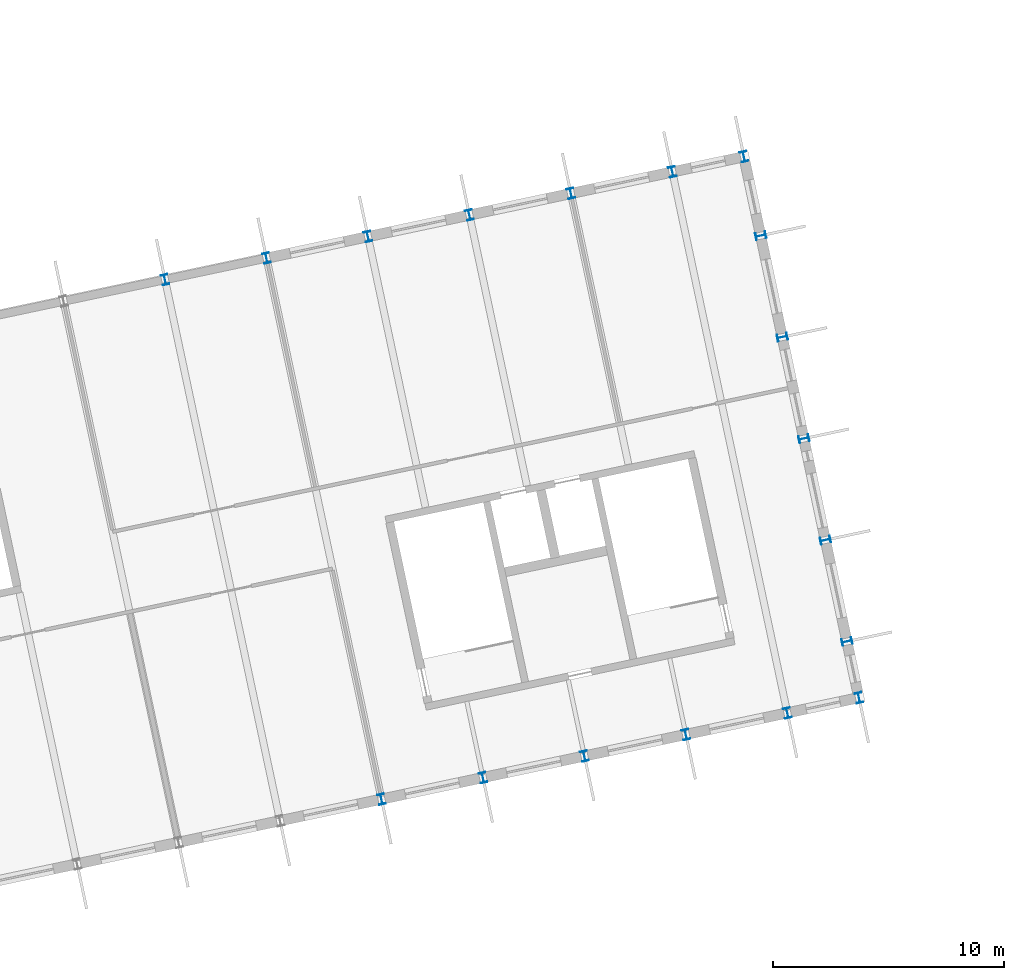
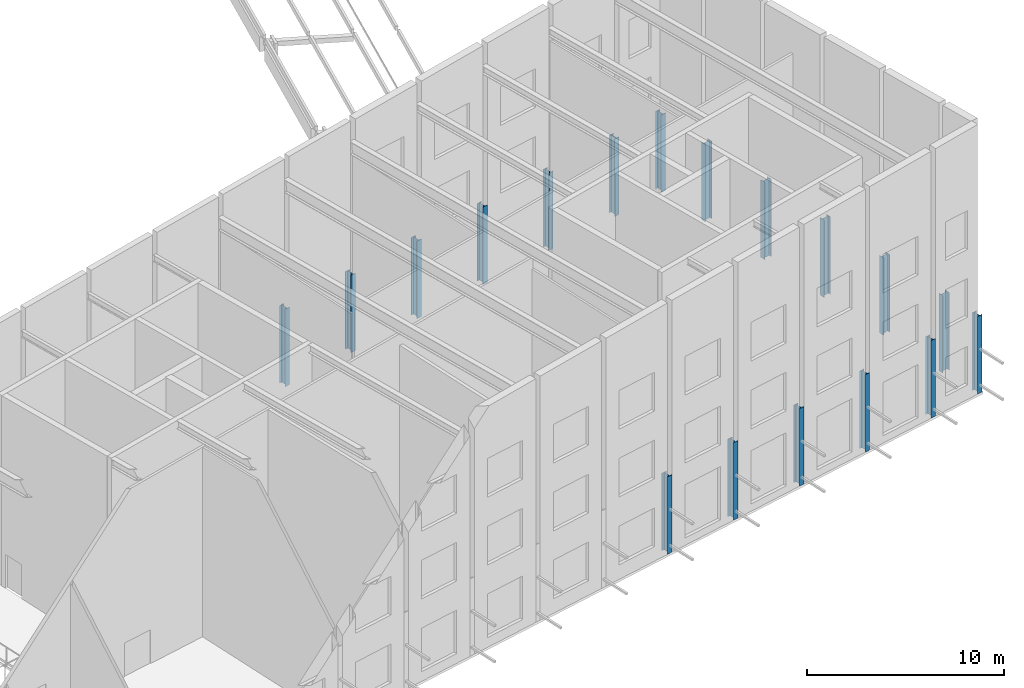
# One storey, part 9 of 69: 18 columns.
"""IFC4 building model written with IfcOpenShell, lengths in metres."""

from ifc_helpers import new_model, si_unit, direction, frame, origin, origin_2d, place, context, subcontext, project, spatial, i_section, extrude, material, material_profile, profile_set, type_object, element, save


model = new_model("IFC4")

# Units and contexts
model_context = context("Model", 3, precision=1e-05, world=origin(), true_north=direction((0.0, 1.0)))
body_context = subcontext(model_context, "Body", "Model", "MODEL_VIEW")
ifc_project = project(units=[si_unit("LENGTHUNIT", "METRE"), si_unit("AREAUNIT", "SQUARE_METRE"), si_unit("VOLUMEUNIT", "CUBIC_METRE"), si_unit("PLANEANGLEUNIT", "RADIAN"), si_unit("MASSUNIT", "GRAM", prefix="KILO")], contexts=[model_context])

# Site, building, storey
site_placement = place(None, origin())
site = spatial("IfcSite", under=ifc_project, at=site_placement, CompositionType="ELEMENT")
building_placement = place(site_placement, origin())
building = spatial("IfcBuilding", under=site, at=building_placement, Name="Okhra Congress Centre", CompositionType="ELEMENT")
storey_placement = place(building_placement, frame((0.0, 0.0, 16.800048828125)))
storey = spatial("IfcBuildingStorey", under=building, at=storey_placement, Name="L03", CompositionType="ELEMENT", Elevation=16.800048828125)

# Columns
ifc_material = material(Name="Steel S355J2", Category="steel")
ifc_material_profile = material_profile(ifc_material, i_section(OverallWidth=0.300048828125, OverallDepth=0.449951171875, WebThickness=0.013916015625, FlangeThickness=0.02587890625, FilletRadius=0.027099609375, at=origin_2d()), Name="HE 450 B")
ifc_profile_set = profile_set([ifc_material_profile], Name="Steel S355J2")
column_type = type_object("IfcColumnType", Name="Steel post HE 450 B", PredefinedType="COLUMN", material=ifc_profile_set)
for number, where, z_axis, x_axis, name in (
    (1, (197.462646484375, 55.81298828125, 0.0), (0.0, 0.0, 1.0), (0.978147600734, 0.207911690818, 0.0), "Post S32"),
    (2, (201.8642578125, 56.74853515625, 0.0), (0.0, 0.0, 1.0), (0.978147600734, 0.207911690818, 0.0), "Post S33"),
    (3, (206.265869140625, 57.68408203125, 0.0), (0.0, 0.0, 1.0), (0.978147600734, 0.207911690818, 0.0), "Post S34"),
    (4, (210.66748046875, 58.61962890625, 0.0), (0.0, 0.0, 1.0), (0.978147600734, 0.207911690818, 0.0), "Post S35"),
    (5, (215.0693359375, 59.555419921875, 0.0), (0.0, 0.0, 1.0), (0.978147600734, 0.207911690818, 0.0), "Post S36"),
    (6, (218.1748046875, 60.21533203125, 0.0), (0.0, 0.0, 1.0), (0.978147600734, 0.207911690818, 0.0), "Post S37"),
    (7, (188.071044921875, 78.352783203125, 0.0), (0.0, 0.0, 1.0), (0.978147600734, 0.207911690818, 0.0), "Post N31"),
    (8, (192.47265625, 79.28857421875, 0.0), (0.0, 0.0, 1.0), (0.978147600734, 0.207911690818, 0.0), "Post N32"),
    (9, (196.874267578125, 80.22412109375, 0.0), (0.0, 0.0, 1.0), (0.978147600734, 0.207911690818, 0.0), "Post N33"),
    (10, (201.276123046875, 81.15966796875, 0.0), (0.0, 0.0, 1.0), (0.978147600734, 0.207911690818, 0.0), "Post N34"),
    (11, (205.677734375, 82.09521484375, 0.0), (0.0, 0.0, 1.0), (0.978147600734, 0.207911690818, 0.0), "Post N35"),
    (12, (210.079345703125, 83.03076171875, 0.0), (0.0, 0.0, 1.0), (0.978147600734, 0.207911690818, 0.0), "Post N36"),
    (13, (213.18505859375, 83.69091796875, 0.0), (0.0, 0.0, 1.0), (0.978147600734, 0.207911690818, 0.0), "Post N37"),
    (14, (217.656005859375, 62.656005859375, 0.0), (0.0, 0.0, 1.0), (-0.207911690818, 0.978147600734, 0.0), "Post E1"),
    (15, (216.720458984375, 67.0576171875, 0.0), (0.0, 0.0, 1.0), (-0.207911690818, 0.978147600734, 0.0), "Post E2"),
    (16, (215.784912109375, 71.459228515625, 0.0), (0.0, 0.0, 1.0), (-0.207911690818, 0.978147600734, 0.0), "Post E3"),
    (17, (214.849365234375, 75.86083984375, 0.0), (0.0, 0.0, 1.0), (-0.207911690818, 0.978147600734, 0.0), "Post E4"),
    (18, (213.913818359375, 80.2626953125, 0.0), (0.0, 0.0, 1.0), (-0.207911690818, 0.978147600734, 0.0), "Post E5"),
):
    element("IfcColumn", number, at=place(storey_placement, frame(where, z_axis=z_axis, x_axis=x_axis)), inside=storey, type_object=column_type, Name=name, PredefinedType="COLUMN", context=body_context, shape_type="SweptSolid", body=[
        extrude(i_section(OverallWidth=0.300048828125, OverallDepth=0.449951171875, WebThickness=0.013916015625, FlangeThickness=0.02587890625, FilletRadius=0.027099609375, at=origin_2d()), origin(), (0.0, 0.0, 1.0), 4.800048828125),
    ])

save(model, "model.ifc")
